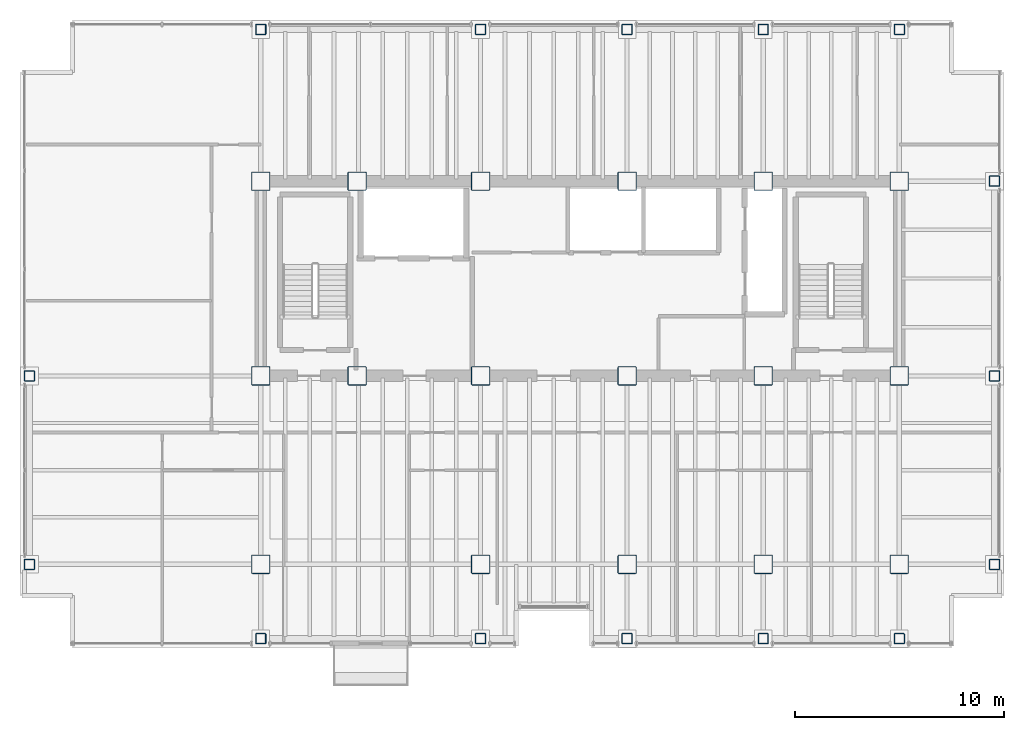
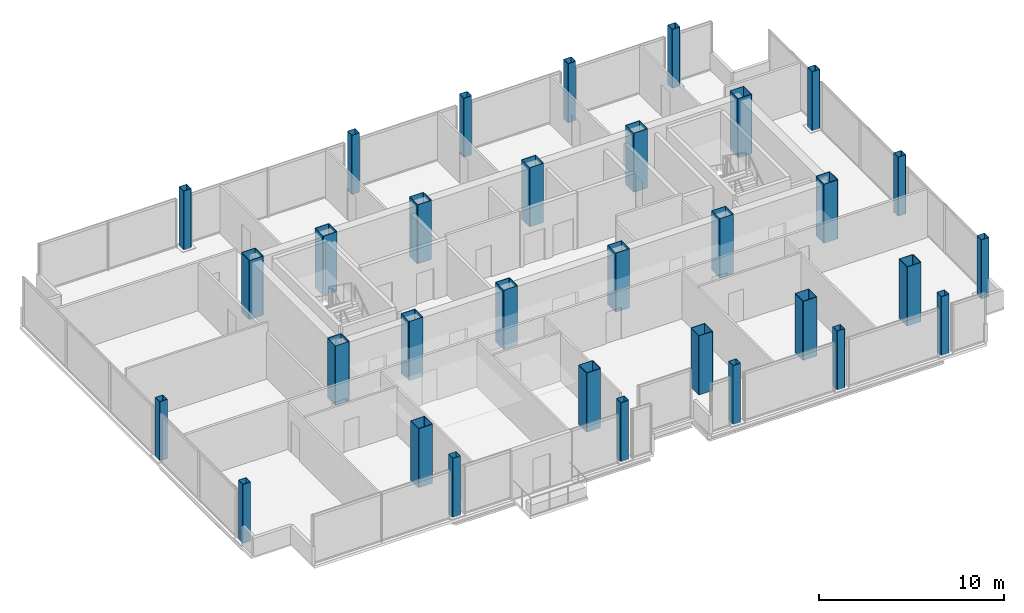
# One storey, part 1 of 19: 32 columns.
"""IFC4 building model written with IfcOpenShell, lengths in metres."""

from ifc_helpers import new_model, si_unit, direction, frame, origin, origin_2d, place, context, subcontext, project, spatial, hollow_rectangle, extrude, material, material_profile, profile_set, type_object, element, save


model = new_model("IFC4")

# Units and contexts
model_context = context("Model", 3, precision=1e-05, world=origin(), true_north=direction((0.0, 1.0)))
body_context = subcontext(model_context, "Body", "Model", "MODEL_VIEW")
ifc_project = project(units=[si_unit("LENGTHUNIT", "METRE"), si_unit("AREAUNIT", "SQUARE_METRE"), si_unit("VOLUMEUNIT", "CUBIC_METRE"), si_unit("PLANEANGLEUNIT", "RADIAN"), si_unit("MASSUNIT", "GRAM", prefix="KILO")], contexts=[model_context])

# Site, building, storey
site_placement = place(None, origin())
site = spatial("IfcSite", under=ifc_project, at=site_placement, CompositionType="ELEMENT")
building_placement = place(site_placement, origin())
building = spatial("IfcBuilding", under=site, at=building_placement, Name="Noeulbin Bourse Tower", CompositionType="ELEMENT")
storey_placement = place(building_placement, frame((0.0, 0.0, 153.89990234375)))
storey = spatial("IfcBuildingStorey", under=building, at=storey_placement, Name="L38", CompositionType="ELEMENT", Elevation=153.89990234375)

# Columns
ifc_material_1 = material(Name="Steel S355", Category="steel")
ifc_material_profile_1 = material_profile(ifc_material_1, hollow_rectangle(XDim=0.5, YDim=0.5, WallThickness=0.02392578125, InnerFilletRadius=0.011962890625, OuterFilletRadius=0.035888671875, at=origin_2d()), Name="BOX-500x500x24", Category="LoadBearing")
ifc_profile_set_1 = profile_set([ifc_material_profile_1], Name="Steel S355")
column_type_1 = type_object("IfcColumnType", Name="COL-PER-Z2", PredefinedType="COLUMN", material=ifc_profile_set_1)
for number, where, z_axis, x_axis, name in (
    (1, (2.449951171875, 20.0, 0.0), (0.0, 0.0, 1.0), (1.0, 0.0, 0.0), "Tower Perimeter Column COL-PER-Z2 01"),
    (2, (2.449951171875, 29.0, 0.0), (0.0, 0.0, 1.0), (1.0, 0.0, 0.0), "Tower Perimeter Column COL-PER-Z2 02"),
    (3, (13.5, 16.449951171875, 0.0), (0.0, 0.0, 1.0), (1.0, 0.0, 0.0), "Tower Perimeter Column COL-PER-Z2 03"),
    (4, (13.5, 45.550048828125, 0.0), (0.0, 0.0, 1.0), (1.0, 0.0, 0.0), "Tower Perimeter Column COL-PER-Z2 04"),
    (5, (24.0, 16.449951171875, 0.0), (0.0, 0.0, 1.0), (1.0, 0.0, 0.0), "Tower Perimeter Column COL-PER-Z2 05"),
    (6, (24.0, 45.550048828125, 0.0), (0.0, 0.0, 1.0), (1.0, 0.0, 0.0), "Tower Perimeter Column COL-PER-Z2 06"),
    (7, (31.0, 16.449951171875, 0.0), (0.0, 0.0, 1.0), (1.0, 0.0, 0.0), "Tower Perimeter Column COL-PER-Z2 07"),
    (8, (31.0, 45.550048828125, 0.0), (0.0, 0.0, 1.0), (1.0, 0.0, 0.0), "Tower Perimeter Column COL-PER-Z2 08"),
    (9, (37.5, 16.449951171875, 0.0), (0.0, 0.0, 1.0), (1.0, 0.0, 0.0), "Tower Perimeter Column COL-PER-Z2 09"),
    (10, (37.5, 45.550048828125, 0.0), (0.0, 0.0, 1.0), (1.0, 0.0, 0.0), "Tower Perimeter Column COL-PER-Z2 10"),
    (11, (44.0, 16.449951171875, 0.0), (0.0, 0.0, 1.0), (1.0, 0.0, 0.0), "Tower Perimeter Column COL-PER-Z2 11"),
    (12, (44.0, 45.550048828125, 0.0), (0.0, 0.0, 1.0), (1.0, 0.0, 0.0), "Tower Perimeter Column COL-PER-Z2 12"),
    (13, (48.550048828125, 20.0, 0.0), (0.0, 0.0, 1.0), (1.0, 0.0, 0.0), "Tower Perimeter Column COL-PER-Z2 13"),
    (14, (48.550048828125, 29.0, 0.0), (0.0, 0.0, 1.0), (1.0, 0.0, 0.0), "Tower Perimeter Column COL-PER-Z2 14"),
    (15, (48.550048828125, 38.300048828125, 0.0), (0.0, 0.0, 1.0), (1.0, 0.0, 0.0), "Tower Perimeter Column COL-PER-Z2 15"),
):
    element("IfcColumn", number, at=place(storey_placement, frame(where, z_axis=z_axis, x_axis=x_axis)), inside=storey, type_object=column_type_1, Name=name, PredefinedType="COLUMN", context=body_context, shape_type="SweptSolid", body=[
        extrude(hollow_rectangle(XDim=0.5, YDim=0.5, WallThickness=0.02392578125, InnerFilletRadius=0.011962890625, OuterFilletRadius=0.035888671875, at=origin_2d()), origin(), (0.0, 0.0, 1.0), 3.900146484375),
    ])
ifc_material_2 = material(Name="Steel S460", Category="steel")
ifc_material_profile_2 = material_profile(ifc_material_2, hollow_rectangle(XDim=0.89990234375, YDim=0.89990234375, WallThickness=0.034912109375, InnerFilletRadius=0.01708984375, OuterFilletRadius=0.052001953125, at=origin_2d()), Name="BOX-900x900x35", Category="LoadBearing")
ifc_profile_set_2 = profile_set([ifc_material_profile_2], Name="Steel S460")
column_type_2 = type_object("IfcColumnType", Name="COL-TRK-Z2", PredefinedType="COLUMN", material=ifc_profile_set_2)
for number, where, z_axis, x_axis, name in (
    (16, (13.5, 29.0, 0.0), (0.0, 0.0, 1.0), (1.0, 0.0, 0.0), "Tower Trunk Mega-Column COL-TRK-Z2 01"),
    (17, (13.5, 38.300048828125, 0.0), (0.0, 0.0, 1.0), (1.0, 0.0, 0.0), "Tower Trunk Mega-Column COL-TRK-Z2 02"),
    (18, (18.10009765625, 29.0, 0.0), (0.0, 0.0, 1.0), (1.0, 0.0, 0.0), "Tower Trunk Mega-Column COL-TRK-Z2 03"),
    (19, (18.10009765625, 38.300048828125, 0.0), (0.0, 0.0, 1.0), (1.0, 0.0, 0.0), "Tower Trunk Mega-Column COL-TRK-Z2 04"),
    (20, (24.0, 29.0, 0.0), (0.0, 0.0, 1.0), (1.0, 0.0, 0.0), "Tower Trunk Mega-Column COL-TRK-Z2 05"),
    (21, (24.0, 38.300048828125, 0.0), (0.0, 0.0, 1.0), (1.0, 0.0, 0.0), "Tower Trunk Mega-Column COL-TRK-Z2 06"),
    (22, (31.0, 29.0, 0.0), (0.0, 0.0, 1.0), (1.0, 0.0, 0.0), "Tower Trunk Mega-Column COL-TRK-Z2 07"),
    (23, (31.0, 38.300048828125, 0.0), (0.0, 0.0, 1.0), (1.0, 0.0, 0.0), "Tower Trunk Mega-Column COL-TRK-Z2 08"),
    (24, (37.5, 29.0, 0.0), (0.0, 0.0, 1.0), (1.0, 0.0, 0.0), "Tower Trunk Mega-Column COL-TRK-Z2 09"),
    (25, (37.5, 38.300048828125, 0.0), (0.0, 0.0, 1.0), (1.0, 0.0, 0.0), "Tower Trunk Mega-Column COL-TRK-Z2 10"),
    (26, (44.0, 29.0, 0.0), (0.0, 0.0, 1.0), (1.0, 0.0, 0.0), "Tower Trunk Mega-Column COL-TRK-Z2 11"),
    (27, (44.0, 38.300048828125, 0.0), (0.0, 0.0, 1.0), (1.0, 0.0, 0.0), "Tower Trunk Mega-Column COL-TRK-Z2 12"),
    (28, (13.5, 20.0, 0.0), (0.0, 0.0, 1.0), (1.0, 0.0, 0.0), "Tower Trunk Mega-Column COL-TRK-Z2 13"),
    (29, (24.0, 20.0, 0.0), (0.0, 0.0, 1.0), (1.0, 0.0, 0.0), "Tower Trunk Mega-Column COL-TRK-Z2 14"),
    (30, (31.0, 20.0, 0.0), (0.0, 0.0, 1.0), (1.0, 0.0, 0.0), "Tower Trunk Mega-Column COL-TRK-Z2 15"),
    (31, (37.5, 20.0, 0.0), (0.0, 0.0, 1.0), (1.0, 0.0, 0.0), "Tower Trunk Mega-Column COL-TRK-Z2 16"),
    (32, (44.0, 20.0, 0.0), (0.0, 0.0, 1.0), (1.0, 0.0, 0.0), "Tower Trunk Mega-Column COL-TRK-Z2 17"),
):
    element("IfcColumn", number, at=place(storey_placement, frame(where, z_axis=z_axis, x_axis=x_axis)), inside=storey, type_object=column_type_2, Name=name, PredefinedType="COLUMN", context=body_context, shape_type="SweptSolid", body=[
        extrude(hollow_rectangle(XDim=0.89990234375, YDim=0.89990234375, WallThickness=0.034912109375, InnerFilletRadius=0.01708984375, OuterFilletRadius=0.052001953125, at=origin_2d()), origin(), (0.0, 0.0, 1.0), 3.900146484375),
    ])

save(model, "model.ifc")
